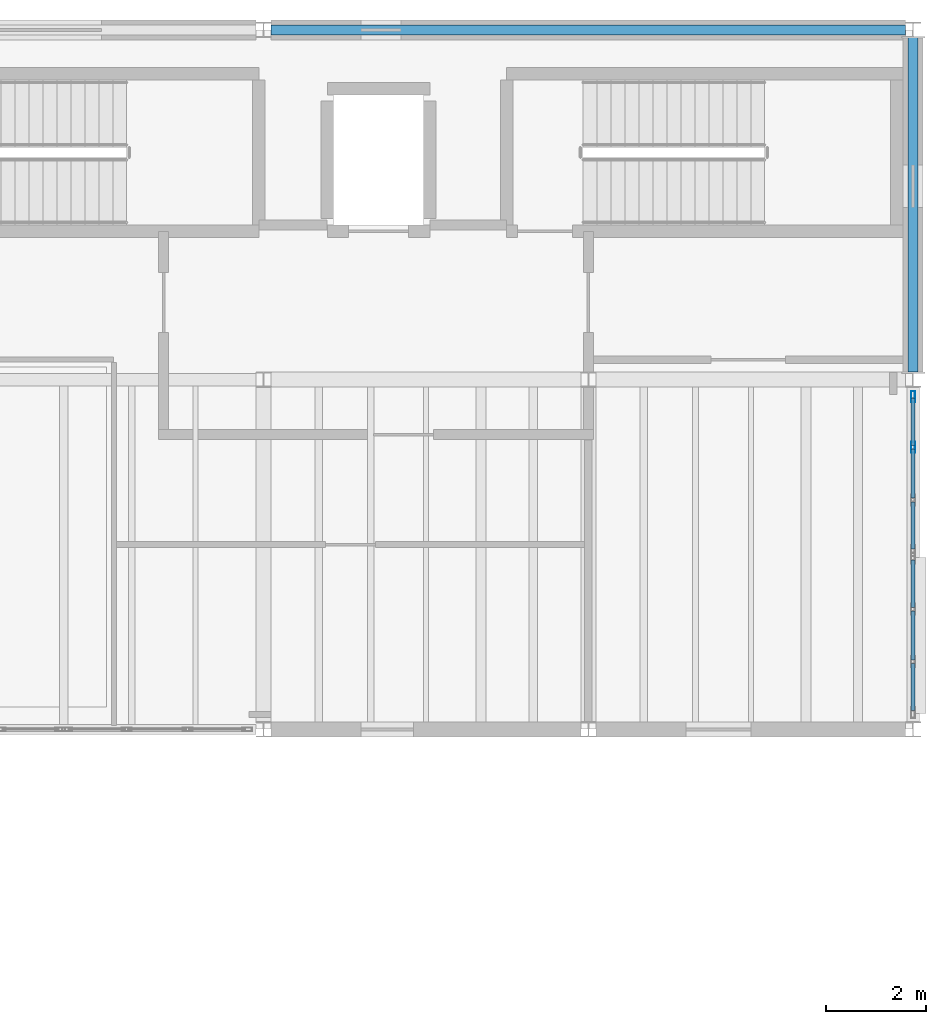
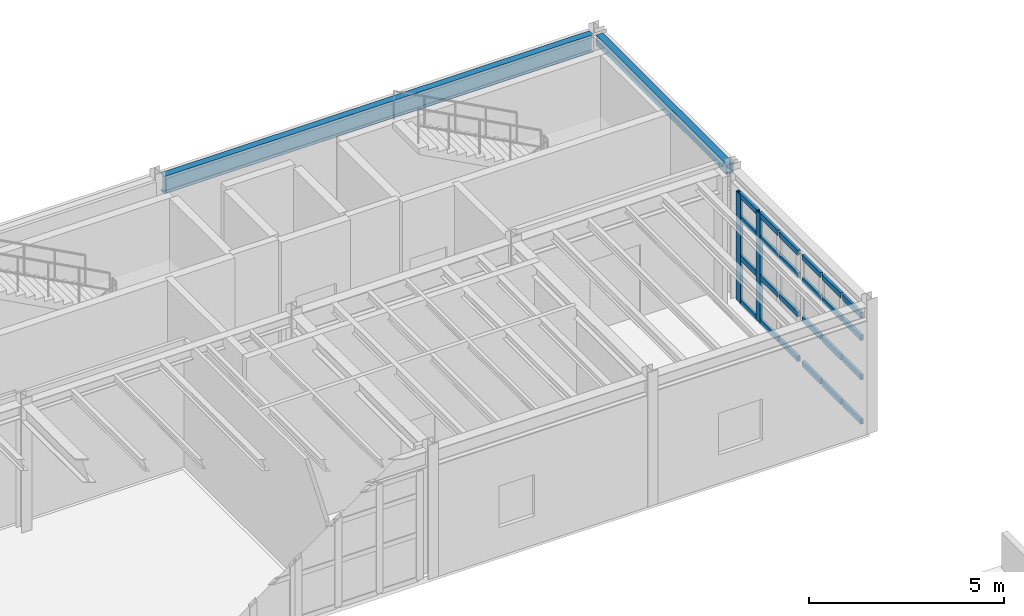
# One storey, part 5 of 11: 26 members, 2 beams, 2 elements without a shape of their own.
"""IFC4 building model written with IfcOpenShell, lengths in metres."""

from ifc_helpers import new_model, si_unit, direction, frame, origin, origin_2d, place, context, subcontext, project, spatial, hollow_rectangle, i_section, extrude, material, material_profile, profile_set, type_object, element, aggregate, save


model = new_model("IFC4")

# Units and contexts
model_context = context("Model", 3, precision=1e-05, world=origin(), true_north=direction((0.0, 1.0)))
body_context = subcontext(model_context, "Body", "Model", "MODEL_VIEW")
ifc_project = project(units=[si_unit("LENGTHUNIT", "METRE"), si_unit("AREAUNIT", "SQUARE_METRE"), si_unit("VOLUMEUNIT", "CUBIC_METRE"), si_unit("PLANEANGLEUNIT", "RADIAN"), si_unit("MASSUNIT", "GRAM", prefix="KILO"), si_unit("THERMODYNAMICTEMPERATUREUNIT", "KELVIN"), si_unit("POWERUNIT", "WATT")], contexts=[model_context])

# Site, building, storey
site_placement = place(None, origin())
site = spatial("IfcSite", under=ifc_project, at=site_placement, CompositionType="ELEMENT")
building_placement = place(site_placement, origin())
building = spatial("IfcBuilding", under=site, at=building_placement, Name="Zhenchuan Central Fire Station", CompositionType="ELEMENT")
storey_placement = place(building_placement, frame((0.0, 0.0, 18.449951171875)))
storey = spatial("IfcBuildingStorey", under=building, at=storey_placement, Name="L05", CompositionType="ELEMENT", Elevation=18.449951171875)

# Beam
ifc_material_1 = material(Name="Steel Q355B", Category="steel")
ifc_material_profile_1 = material_profile(ifc_material_1, i_section(OverallWidth=0.199951171875, OverallDepth=0.550048828125, WebThickness=0.010009765625, FlangeThickness=0.01611328125, FilletRadius=0.02001953125, at=origin_2d()), Name="HN 550x200")
ifc_profile_set_1 = profile_set([ifc_material_profile_1], Name="Steel Q355B")
beam_type_1 = type_object("IfcBeamType", Name="BM-HN550", PredefinedType="BEAM", material=ifc_profile_set_1)
beam_1_placement = place(storey_placement, frame((148.14990234375, 56.5, 3.72509765625), z_axis=(1.0, 0.0, 0.0), x_axis=(0.0, 1.0, 0.0)))
element("IfcBeam", 1, at=beam_1_placement, inside=storey, type_object=beam_type_1, Name="L06 Girder EW 0498", PredefinedType="BEAM", context=body_context, shape_type="SweptSolid", body=[
    extrude(i_section(OverallWidth=0.199951171875, OverallDepth=0.550048828125, WebThickness=0.010009765625, FlangeThickness=0.01611328125, FilletRadius=0.02001953125, at=origin_2d()), origin(), (0.0, 0.0, 1.0), 12.7001953125),
])

# Curtain wall, members
ifc_material_2 = material(Name="Anodised aluminium and low-E glazing", Category="aluminium")
curtain_wall_type_1 = type_object("IfcCurtainWallType", Name="CW-MOD-16", PredefinedType="USERDEFINED", material=ifc_material_2)
curtain_wall_1_placement = place(storey_placement, origin())
curtain_wall_1 = element("IfcCurtainWall", 2, at=curtain_wall_1_placement, inside=storey, type_object=curtain_wall_type_1, Name="L05 Unitised Curtain Wall 151", ObjectType="UNITISED GLAZING", PredefinedType="USERDEFINED")
ifc_material_3 = material(Name="Anodised aluminium EN AW-6063", Category="aluminium")
ifc_material_profile_2 = material_profile(ifc_material_3, hollow_rectangle(XDim=0.080078125, YDim=0.219970703125, WallThickness=0.005615234375, at=origin_2d()), Name="ALU-M 220x80")
ifc_profile_set_2 = profile_set([ifc_material_profile_2], Name="Anodised aluminium EN AW-6063")
member_type_1 = type_object("IfcMemberType", Name="CW-MUL200", PredefinedType="MULLION", material=ifc_profile_set_2)
member_1_placement = place(storey_placement, frame((161.0, 48.14599609375, -0.00390625), z_axis=(0.0, 0.0, 1.0), x_axis=(-1.0, 0.0, 0.0)))
member_1 = element("IfcMember", 3, at=member_1_placement, type_object=member_type_1, Name="CW-16 mullion 3", PredefinedType="MULLION", context=body_context, shape_type="SweptSolid", body=[
    extrude(hollow_rectangle(XDim=0.080078125, YDim=0.219970703125, WallThickness=0.005615234375, at=origin_2d()), origin(), (0.0, 0.0, 1.0), 3.404052734375),
])
member_2_placement = place(storey_placement, frame((161.0, 49.16259765625, -0.00390625), z_axis=(0.0, 0.0, 1.0), x_axis=(-1.0, 0.0, 0.0)))
member_2 = element("IfcMember", 4, at=member_2_placement, type_object=member_type_1, Name="CW-16 mullion 4", PredefinedType="MULLION", context=body_context, shape_type="SweptSolid", body=[
    extrude(hollow_rectangle(XDim=0.080078125, YDim=0.219970703125, WallThickness=0.005615234375, at=origin_2d()), origin(), (0.0, 0.0, 1.0), 3.404052734375),
])

curtain_wall_type_2 = type_object("IfcCurtainWallType", Name="CW-MOD-15", PredefinedType="USERDEFINED", material=ifc_material_2)
curtain_wall_2_placement = place(storey_placement, origin())
curtain_wall_2 = element("IfcCurtainWall", 5, at=curtain_wall_2_placement, inside=storey, type_object=curtain_wall_type_2, Name="L05 Unitised Curtain Wall 150", ObjectType="UNITISED GLAZING", PredefinedType="USERDEFINED")
ifc_material_profile_3 = material_profile(ifc_material_3, hollow_rectangle(XDim=0.080078125, YDim=0.1650390625, WallThickness=0.0048828125, at=origin_2d()), Name="ALU-T 165x80")
ifc_profile_set_3 = profile_set([ifc_material_profile_3], Name="Anodised aluminium EN AW-6063")
member_type_2 = type_object("IfcMemberType", Name="CW-TRN150", PredefinedType="NOTDEFINED", material=ifc_profile_set_3)
member_3_placement = place(storey_placement, frame((161.0, 42.875, 0.033447265625), z_axis=(0.0, 1.0, 0.0), x_axis=(-1.0, 0.0, 0.0)))
member_3 = element("IfcMember", 6, at=member_3_placement, type_object=member_type_2, Name="CW-15 transom 1.1", ObjectType="TRANSOM", PredefinedType="USERDEFINED", context=body_context, shape_type="SweptSolid", body=[
    extrude(hollow_rectangle(XDim=0.080078125, YDim=0.1650390625, WallThickness=0.0048828125, at=origin_2d()), origin(), (0.0, 0.0, 1.0), 0.94140625),
])
member_4_placement = place(storey_placement, frame((161.0, 42.875, 1.427978515625), z_axis=(0.0, 1.0, 0.0), x_axis=(-1.0, 0.0, 0.0)))
member_4 = element("IfcMember", 7, at=member_4_placement, type_object=member_type_2, Name="CW-15 transom 1.2", ObjectType="TRANSOM", PredefinedType="USERDEFINED", context=body_context, shape_type="SweptSolid", body=[
    extrude(hollow_rectangle(XDim=0.080078125, YDim=0.1650390625, WallThickness=0.0048828125, at=origin_2d()), origin(), (0.0, 0.0, 1.0), 0.94140625),
])
member_5_placement = place(storey_placement, frame((161.0, 42.875, 2.652099609375), z_axis=(0.0, 1.0, 0.0), x_axis=(-1.0, 0.0, 0.0)))
member_5 = element("IfcMember", 8, at=member_5_placement, type_object=member_type_2, Name="CW-15 transom 1.3", ObjectType="TRANSOM", PredefinedType="USERDEFINED", context=body_context, shape_type="SweptSolid", body=[
    extrude(hollow_rectangle(XDim=0.080078125, YDim=0.1650390625, WallThickness=0.0048828125, at=origin_2d()), origin(), (0.0, 0.0, 1.0), 0.94140625),
])
member_6_placement = place(storey_placement, frame((161.0, 42.875, 3.362548828125), z_axis=(0.0, 1.0, 0.0), x_axis=(-1.0, 0.0, 0.0)))
member_6 = element("IfcMember", 9, at=member_6_placement, type_object=member_type_2, Name="CW-15 transom 1.4", ObjectType="TRANSOM", PredefinedType="USERDEFINED", context=body_context, shape_type="SweptSolid", body=[
    extrude(hollow_rectangle(XDim=0.080078125, YDim=0.1650390625, WallThickness=0.0048828125, at=origin_2d()), origin(), (0.0, 0.0, 1.0), 0.94140625),
])
member_7_placement = place(storey_placement, frame((161.0, 43.8916015625, 0.033447265625), z_axis=(0.0, 1.0, 0.0), x_axis=(-1.0, 0.0, 0.0)))
member_7 = element("IfcMember", 10, at=member_7_placement, type_object=member_type_2, Name="CW-15 transom 2.1", ObjectType="TRANSOM", PredefinedType="USERDEFINED", context=body_context, shape_type="SweptSolid", body=[
    extrude(hollow_rectangle(XDim=0.080078125, YDim=0.1650390625, WallThickness=0.0048828125, at=origin_2d()), origin(), (0.0, 0.0, 1.0), 0.97900390625),
])
member_8_placement = place(storey_placement, frame((161.0, 43.8916015625, 1.427978515625), z_axis=(0.0, 1.0, 0.0), x_axis=(-1.0, 0.0, 0.0)))
member_8 = element("IfcMember", 11, at=member_8_placement, type_object=member_type_2, Name="CW-15 transom 2.2", ObjectType="TRANSOM", PredefinedType="USERDEFINED", context=body_context, shape_type="SweptSolid", body=[
    extrude(hollow_rectangle(XDim=0.080078125, YDim=0.1650390625, WallThickness=0.0048828125, at=origin_2d()), origin(), (0.0, 0.0, 1.0), 0.97900390625),
])
member_9_placement = place(storey_placement, frame((161.0, 43.8916015625, 2.652099609375), z_axis=(0.0, 1.0, 0.0), x_axis=(-1.0, 0.0, 0.0)))
member_9 = element("IfcMember", 12, at=member_9_placement, type_object=member_type_2, Name="CW-15 transom 2.3", ObjectType="TRANSOM", PredefinedType="USERDEFINED", context=body_context, shape_type="SweptSolid", body=[
    extrude(hollow_rectangle(XDim=0.080078125, YDim=0.1650390625, WallThickness=0.0048828125, at=origin_2d()), origin(), (0.0, 0.0, 1.0), 0.97900390625),
])
member_10_placement = place(storey_placement, frame((161.0, 43.8916015625, 3.362548828125), z_axis=(0.0, 1.0, 0.0), x_axis=(-1.0, 0.0, 0.0)))
member_10 = element("IfcMember", 13, at=member_10_placement, type_object=member_type_2, Name="CW-15 transom 2.4", ObjectType="TRANSOM", PredefinedType="USERDEFINED", context=body_context, shape_type="SweptSolid", body=[
    extrude(hollow_rectangle(XDim=0.080078125, YDim=0.1650390625, WallThickness=0.0048828125, at=origin_2d()), origin(), (0.0, 0.0, 1.0), 0.97900390625),
])
member_11_placement = place(storey_placement, frame((161.0, 44.945556640625, 0.033447265625), z_axis=(0.0, 1.0, 0.0), x_axis=(-1.0, 0.0, 0.0)))
member_11 = element("IfcMember", 14, at=member_11_placement, type_object=member_type_2, Name="CW-15 transom 3.1", ObjectType="TRANSOM", PredefinedType="USERDEFINED", context=body_context, shape_type="SweptSolid", body=[
    extrude(hollow_rectangle(XDim=0.080078125, YDim=0.1650390625, WallThickness=0.0048828125, at=origin_2d()), origin(), (0.0, 0.0, 1.0), 0.94140625),
])
member_12_placement = place(storey_placement, frame((161.0, 44.945556640625, 1.427978515625), z_axis=(0.0, 1.0, 0.0), x_axis=(-1.0, 0.0, 0.0)))
member_12 = element("IfcMember", 15, at=member_12_placement, type_object=member_type_2, Name="CW-15 transom 3.2", ObjectType="TRANSOM", PredefinedType="USERDEFINED", context=body_context, shape_type="SweptSolid", body=[
    extrude(hollow_rectangle(XDim=0.080078125, YDim=0.1650390625, WallThickness=0.0048828125, at=origin_2d()), origin(), (0.0, 0.0, 1.0), 0.94140625),
])
member_13_placement = place(storey_placement, frame((161.0, 44.945556640625, 2.652099609375), z_axis=(0.0, 1.0, 0.0), x_axis=(-1.0, 0.0, 0.0)))
member_13 = element("IfcMember", 16, at=member_13_placement, type_object=member_type_2, Name="CW-15 transom 3.3", ObjectType="TRANSOM", PredefinedType="USERDEFINED", context=body_context, shape_type="SweptSolid", body=[
    extrude(hollow_rectangle(XDim=0.080078125, YDim=0.1650390625, WallThickness=0.0048828125, at=origin_2d()), origin(), (0.0, 0.0, 1.0), 0.94140625),
])
member_14_placement = place(storey_placement, frame((161.0, 44.945556640625, 3.362548828125), z_axis=(0.0, 1.0, 0.0), x_axis=(-1.0, 0.0, 0.0)))
member_14 = element("IfcMember", 17, at=member_14_placement, type_object=member_type_2, Name="CW-15 transom 3.4", ObjectType="TRANSOM", PredefinedType="USERDEFINED", context=body_context, shape_type="SweptSolid", body=[
    extrude(hollow_rectangle(XDim=0.080078125, YDim=0.1650390625, WallThickness=0.0048828125, at=origin_2d()), origin(), (0.0, 0.0, 1.0), 0.94140625),
])
aggregate(curtain_wall_2, [member_3, member_4, member_5, member_6, member_7, member_8, member_9, member_10, member_11, member_12, member_13, member_14])

# Member
member_15_placement = place(storey_placement, frame((161.0, 46.113037109375, 0.033447265625), z_axis=(0.0, 1.0, 0.0), x_axis=(-1.0, 0.0, 0.0)))
member_15 = element("IfcMember", 18, at=member_15_placement, type_object=member_type_2, Name="CW-16 transom 1.1", ObjectType="TRANSOM", PredefinedType="USERDEFINED", context=body_context, shape_type="SweptSolid", body=[
    extrude(hollow_rectangle(XDim=0.080078125, YDim=0.1650390625, WallThickness=0.0048828125, at=origin_2d()), origin(), (0.0, 0.0, 1.0), 0.94140625),
])

member_16_placement = place(storey_placement, frame((161.0, 46.113037109375, 1.427978515625), z_axis=(0.0, 1.0, 0.0), x_axis=(-1.0, 0.0, 0.0)))
member_16 = element("IfcMember", 19, at=member_16_placement, type_object=member_type_2, Name="CW-16 transom 1.2", ObjectType="TRANSOM", PredefinedType="USERDEFINED", context=body_context, shape_type="SweptSolid", body=[
    extrude(hollow_rectangle(XDim=0.080078125, YDim=0.1650390625, WallThickness=0.0048828125, at=origin_2d()), origin(), (0.0, 0.0, 1.0), 0.94140625),
])

member_17_placement = place(storey_placement, frame((161.0, 46.113037109375, 2.652099609375), z_axis=(0.0, 1.0, 0.0), x_axis=(-1.0, 0.0, 0.0)))
member_17 = element("IfcMember", 20, at=member_17_placement, type_object=member_type_2, Name="CW-16 transom 1.3", ObjectType="TRANSOM", PredefinedType="USERDEFINED", context=body_context, shape_type="SweptSolid", body=[
    extrude(hollow_rectangle(XDim=0.080078125, YDim=0.1650390625, WallThickness=0.0048828125, at=origin_2d()), origin(), (0.0, 0.0, 1.0), 0.94140625),
])

member_18_placement = place(storey_placement, frame((161.0, 46.113037109375, 3.362548828125), z_axis=(0.0, 1.0, 0.0), x_axis=(-1.0, 0.0, 0.0)))
member_18 = element("IfcMember", 21, at=member_18_placement, type_object=member_type_2, Name="CW-16 transom 1.4", ObjectType="TRANSOM", PredefinedType="USERDEFINED", context=body_context, shape_type="SweptSolid", body=[
    extrude(hollow_rectangle(XDim=0.080078125, YDim=0.1650390625, WallThickness=0.0048828125, at=origin_2d()), origin(), (0.0, 0.0, 1.0), 0.94140625),
])

member_19_placement = place(storey_placement, frame((161.0, 47.12939453125, 0.033447265625), z_axis=(0.0, 1.0, 0.0), x_axis=(-1.0, 0.0, 0.0)))
member_19 = element("IfcMember", 22, at=member_19_placement, type_object=member_type_2, Name="CW-16 transom 2.1", ObjectType="TRANSOM", PredefinedType="USERDEFINED", context=body_context, shape_type="SweptSolid", body=[
    extrude(hollow_rectangle(XDim=0.080078125, YDim=0.1650390625, WallThickness=0.0048828125, at=origin_2d()), origin(), (0.0, 0.0, 1.0), 0.97900390625),
])

member_20_placement = place(storey_placement, frame((161.0, 47.12939453125, 1.427978515625), z_axis=(0.0, 1.0, 0.0), x_axis=(-1.0, 0.0, 0.0)))
member_20 = element("IfcMember", 23, at=member_20_placement, type_object=member_type_2, Name="CW-16 transom 2.2", ObjectType="TRANSOM", PredefinedType="USERDEFINED", context=body_context, shape_type="SweptSolid", body=[
    extrude(hollow_rectangle(XDim=0.080078125, YDim=0.1650390625, WallThickness=0.0048828125, at=origin_2d()), origin(), (0.0, 0.0, 1.0), 0.97900390625),
])

member_21_placement = place(storey_placement, frame((161.0, 47.12939453125, 2.652099609375), z_axis=(0.0, 1.0, 0.0), x_axis=(-1.0, 0.0, 0.0)))
member_21 = element("IfcMember", 24, at=member_21_placement, type_object=member_type_2, Name="CW-16 transom 2.3", ObjectType="TRANSOM", PredefinedType="USERDEFINED", context=body_context, shape_type="SweptSolid", body=[
    extrude(hollow_rectangle(XDim=0.080078125, YDim=0.1650390625, WallThickness=0.0048828125, at=origin_2d()), origin(), (0.0, 0.0, 1.0), 0.97900390625),
])

member_22_placement = place(storey_placement, frame((161.0, 47.12939453125, 3.362548828125), z_axis=(0.0, 1.0, 0.0), x_axis=(-1.0, 0.0, 0.0)))
member_22 = element("IfcMember", 25, at=member_22_placement, type_object=member_type_2, Name="CW-16 transom 2.4", ObjectType="TRANSOM", PredefinedType="USERDEFINED", context=body_context, shape_type="SweptSolid", body=[
    extrude(hollow_rectangle(XDim=0.080078125, YDim=0.1650390625, WallThickness=0.0048828125, at=origin_2d()), origin(), (0.0, 0.0, 1.0), 0.97900390625),
])

member_23_placement = place(storey_placement, frame((161.0, 48.18359375, 0.033447265625), z_axis=(0.0, 1.0, 0.0), x_axis=(-1.0, 0.0, 0.0)))
member_23 = element("IfcMember", 26, at=member_23_placement, type_object=member_type_2, Name="CW-16 transom 3.1", ObjectType="TRANSOM", PredefinedType="USERDEFINED", context=body_context, shape_type="SweptSolid", body=[
    extrude(hollow_rectangle(XDim=0.080078125, YDim=0.1650390625, WallThickness=0.0048828125, at=origin_2d()), origin(), (0.0, 0.0, 1.0), 0.94140625),
])

member_24_placement = place(storey_placement, frame((161.0, 48.18359375, 1.427978515625), z_axis=(0.0, 1.0, 0.0), x_axis=(-1.0, 0.0, 0.0)))
member_24 = element("IfcMember", 27, at=member_24_placement, type_object=member_type_2, Name="CW-16 transom 3.2", ObjectType="TRANSOM", PredefinedType="USERDEFINED", context=body_context, shape_type="SweptSolid", body=[
    extrude(hollow_rectangle(XDim=0.080078125, YDim=0.1650390625, WallThickness=0.0048828125, at=origin_2d()), origin(), (0.0, 0.0, 1.0), 0.94140625),
])

member_25_placement = place(storey_placement, frame((161.0, 48.18359375, 2.652099609375), z_axis=(0.0, 1.0, 0.0), x_axis=(-1.0, 0.0, 0.0)))
member_25 = element("IfcMember", 28, at=member_25_placement, type_object=member_type_2, Name="CW-16 transom 3.3", ObjectType="TRANSOM", PredefinedType="USERDEFINED", context=body_context, shape_type="SweptSolid", body=[
    extrude(hollow_rectangle(XDim=0.080078125, YDim=0.1650390625, WallThickness=0.0048828125, at=origin_2d()), origin(), (0.0, 0.0, 1.0), 0.94140625),
])

member_26_placement = place(storey_placement, frame((161.0, 48.18359375, 3.362548828125), z_axis=(0.0, 1.0, 0.0), x_axis=(-1.0, 0.0, 0.0)))
member_26 = element("IfcMember", 29, at=member_26_placement, type_object=member_type_2, Name="CW-16 transom 3.4", ObjectType="TRANSOM", PredefinedType="USERDEFINED", context=body_context, shape_type="SweptSolid", body=[
    extrude(hollow_rectangle(XDim=0.080078125, YDim=0.1650390625, WallThickness=0.0048828125, at=origin_2d()), origin(), (0.0, 0.0, 1.0), 0.94140625),
])

aggregate(curtain_wall_1, [member_1, member_2, member_15, member_16, member_17, member_18, member_19, member_20, member_21, member_22, member_23, member_24, member_25, member_26])

# Beam
ifc_material_profile_4 = material_profile(ifc_material_1, hollow_rectangle(XDim=0.199951171875, YDim=0.300048828125, WallThickness=0.011962890625, at=origin_2d()), Name="RHS 300x200x12")
ifc_profile_set_4 = profile_set([ifc_material_profile_4], Name="Steel Q355B")
beam_type_2 = type_object("IfcBeamType", Name="SP-RHS300", PredefinedType="SPANDREL", material=ifc_profile_set_4)
beam_2_placement = place(storey_placement, frame((161.0, 49.64990234375, 3.85009765625), z_axis=(0.0, 1.0, 0.0), x_axis=(-1.0, 0.0, 0.0)))
element("IfcBeam", 30, at=beam_2_placement, inside=storey, type_object=beam_type_2, Name="L06 Girder NS 0505", PredefinedType="SPANDREL", context=body_context, shape_type="SweptSolid", body=[
    extrude(hollow_rectangle(XDim=0.199951171875, YDim=0.300048828125, WallThickness=0.011962890625, at=origin_2d()), origin(), (0.0, 0.0, 1.0), 6.7001953125),
])

save(model, "model.ifc")
